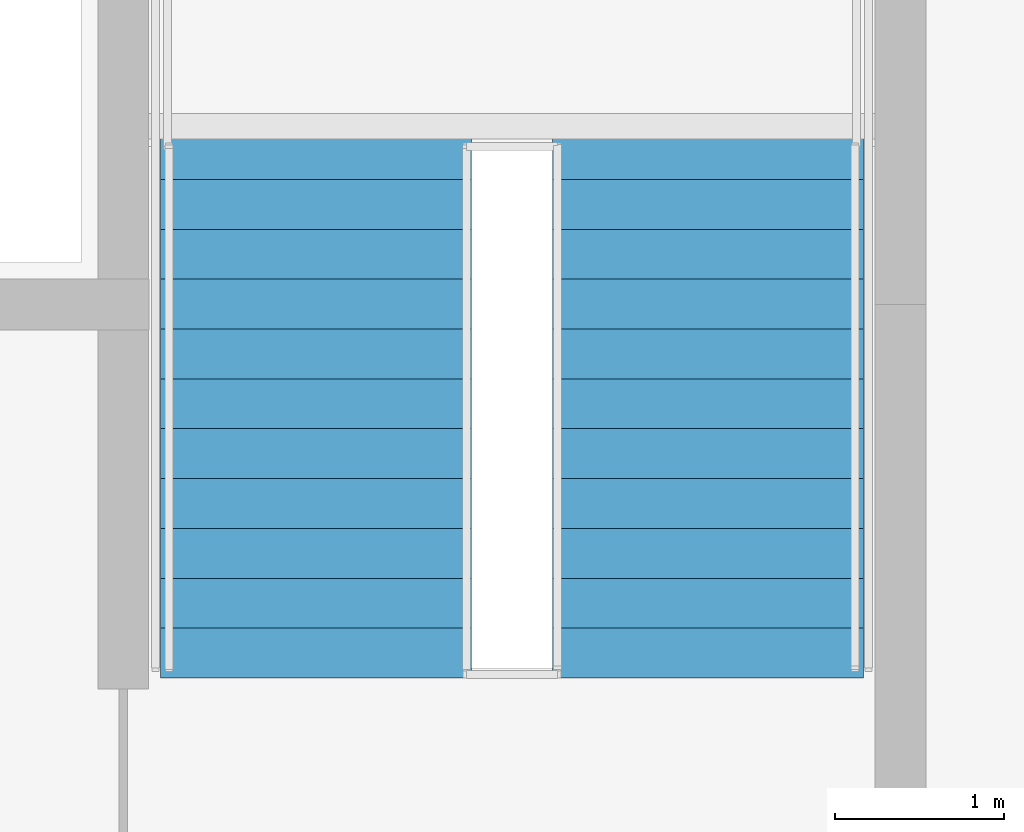
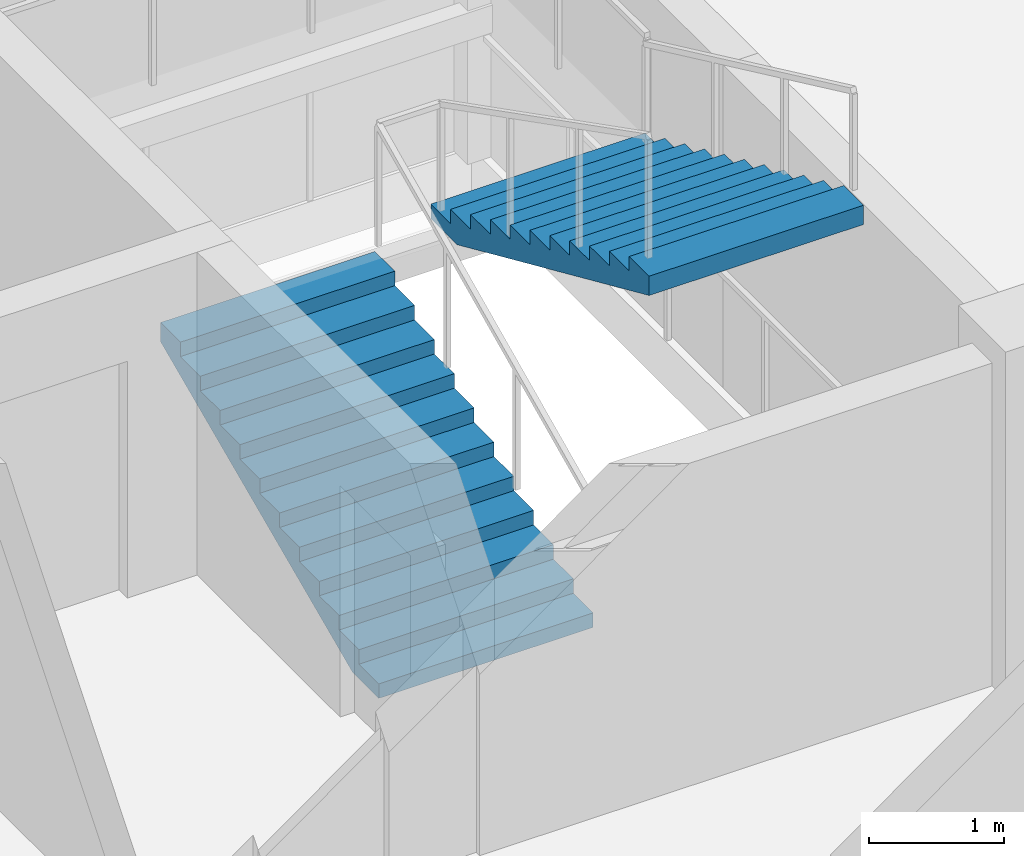
# One storey, part 48 of 51: 2 stair flights, 1 element without a shape of its own.
"""IFC4 building model written with IfcOpenShell, lengths in metres."""

from ifc_helpers import new_model, si_unit, direction, frame, origin, place, context, subcontext, project, spatial, polyline, outline, extrude, material, type_object, element, aggregate, save


model = new_model("IFC4")

# Units and contexts
model_context = context("Model", 3, precision=1e-05, world=origin(), true_north=direction((0.0, 1.0)))
body_context = subcontext(model_context, "Body", "Model", "MODEL_VIEW")
ifc_project = project(units=[si_unit("LENGTHUNIT", "METRE"), si_unit("AREAUNIT", "SQUARE_METRE"), si_unit("VOLUMEUNIT", "CUBIC_METRE"), si_unit("PLANEANGLEUNIT", "RADIAN"), si_unit("MASSUNIT", "GRAM", prefix="KILO")], contexts=[model_context])

# Site, building, storey
site_placement = place(None, origin())
site = spatial("IfcSite", under=ifc_project, at=site_placement, CompositionType="ELEMENT")
building_placement = place(site_placement, origin())
building = spatial("IfcBuilding", under=site, at=building_placement, Name="Taldren Reach Tower", CompositionType="ELEMENT")
storey_placement = place(building_placement, frame((0.0, 0.0, 65.10009765625)))
storey = spatial("IfcBuildingStorey", under=building, at=storey_placement, Name="L19", CompositionType="ELEMENT", Elevation=65.10009765625)

# Stair, stair flights
ifc_material = material(Name="Concrete S50 (50 MPa)", Category="concrete")
stair_type = type_object("IfcStairType", Name="ST-HT-315", PredefinedType="HALF_TURN_STAIR", material=ifc_material)
stair_placement = place(storey_placement, origin())
stair = element("IfcStair", 1, at=stair_placement, inside=storey, type_object=stair_type, Name="Fire-isolated exit stair ST2 L19", PredefinedType="HALF_TURN_STAIR")
stair_flight_type = type_object("IfcStairFlightType", Name="SF-STR-315", PredefinedType="STRAIGHT", material=ifc_material)
stair_flight_1_placement = place(storey_placement, frame((47.5400390625, 25.989990234375, 0.0), z_axis=(0.0, 0.0, 1.0), x_axis=(0.0, 1.0, 0.0)))
stair_flight_1 = element("IfcStairFlight", 2, at=stair_flight_1_placement, type_object=stair_flight_type, Name="ST2 flight 1", NumberOfRisers=12, NumberOfTreads=11, PredefinedType="STRAIGHT", RiserHeight=0.13125, TreadLength=0.295, context=body_context, shape_type="SweptSolid", body=[
    extrude(outline(polyline([(0.0, 0.0), (0.0, 0.13134765625), (0.294921875, 0.13134765625), (0.294921875, 0.262451171875), (0.590087890625, 0.262451171875), (0.590087890625, 0.393798828125), (0.885009765625, 0.393798828125), (0.885009765625, 0.52490234375), (1.179931640625, 0.52490234375), (1.179931640625, 0.65625), (1.47509765625, 0.65625), (1.47509765625, 0.78759765625), (1.77001953125, 0.78759765625), (1.77001953125, 0.918701171875), (2.06494140625, 0.918701171875), (2.06494140625, 1.050048828125), (2.360107421875, 1.050048828125), (2.360107421875, 1.18115234375), (2.655029296875, 1.18115234375), (2.655029296875, 1.3125), (2.949951171875, 1.3125), (2.949951171875, 1.44384765625), (3.2451171875, 1.44384765625), (3.2451171875, 1.574951171875), (3.2451171875, 1.268798828125), (0.393310546875, 0.0), (0.0, 0.0)])), frame((0.0, 0.919921875, 0.0), z_axis=(0.0, -1.0, 0.0), x_axis=(1.0, 0.0, 0.0)), (0.0, 0.0, 1.0), 1.840087890625),
])
stair_flight_2_placement = place(storey_placement, frame((49.860107421875, 29.235107421875, 1.574951171875), z_axis=(0.0, 0.0, 1.0), x_axis=(0.0, -1.0, 0.0)))
stair_flight_2 = element("IfcStairFlight", 3, at=stair_flight_2_placement, type_object=stair_flight_type, Name="ST2 flight 2", NumberOfRisers=12, NumberOfTreads=11, PredefinedType="STRAIGHT", RiserHeight=0.13125, TreadLength=0.295, context=body_context, shape_type="SweptSolid", body=[
    extrude(outline(polyline([(0.0, 0.0), (0.0, 0.13134765625), (0.294921875, 0.13134765625), (0.294921875, 0.262451171875), (0.590087890625, 0.262451171875), (0.590087890625, 0.393798828125), (0.885009765625, 0.393798828125), (0.885009765625, 0.52490234375), (1.179931640625, 0.52490234375), (1.179931640625, 0.65625), (1.47509765625, 0.65625), (1.47509765625, 0.78759765625), (1.77001953125, 0.78759765625), (1.77001953125, 0.918701171875), (2.06494140625, 0.918701171875), (2.06494140625, 1.050048828125), (2.360107421875, 1.050048828125), (2.360107421875, 1.18115234375), (2.655029296875, 1.18115234375), (2.655029296875, 1.3125), (2.949951171875, 1.3125), (2.949951171875, 1.44384765625), (3.2451171875, 1.44384765625), (3.2451171875, 1.574951171875), (3.2451171875, 1.268798828125), (0.393310546875, 0.0), (0.0, 0.0)])), frame((0.0, 0.919921875, 0.0), z_axis=(0.0, -1.0, 0.0), x_axis=(1.0, 0.0, 0.0)), (0.0, 0.0, 1.0), 1.840087890625),
])
aggregate(stair, [stair_flight_1, stair_flight_2])

save(model, "model.ifc")
